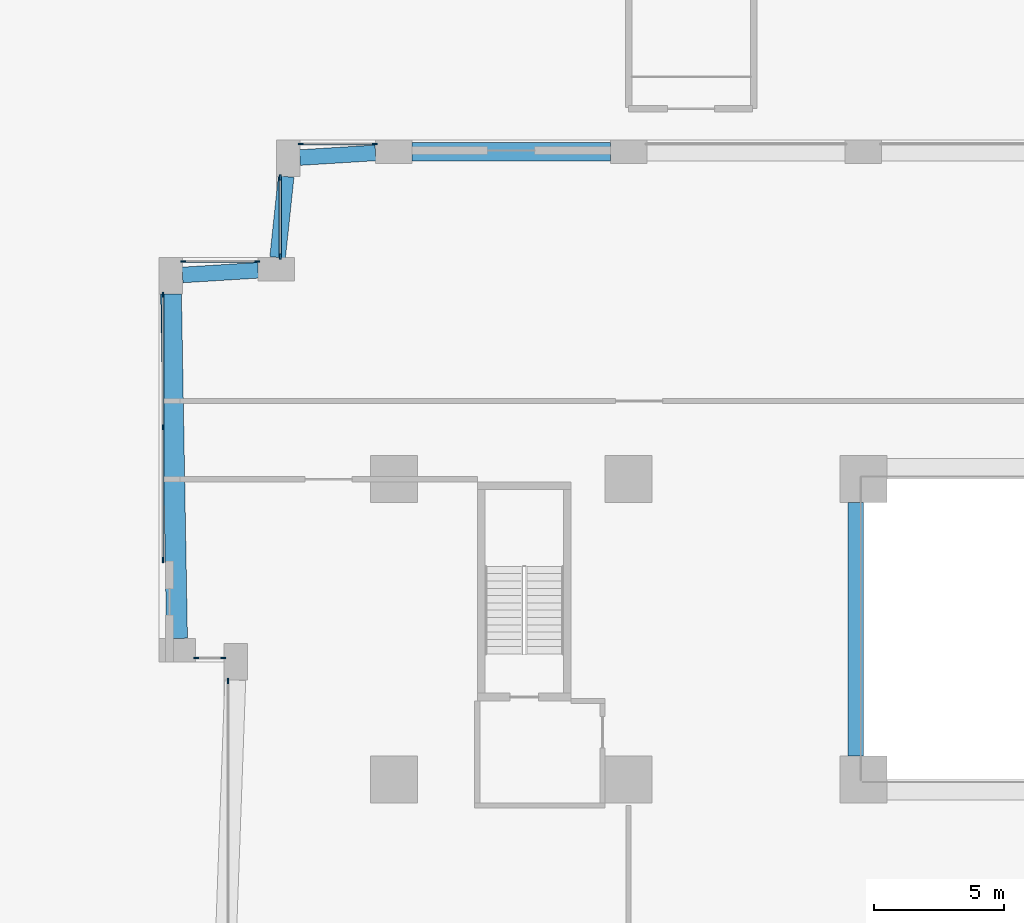
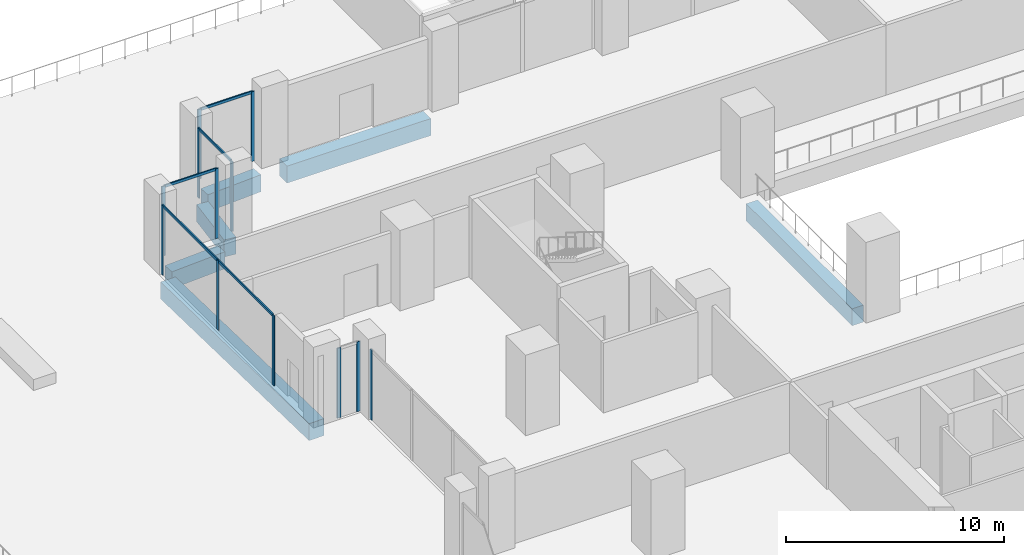
# One storey, part 4 of 19: 17 members, 6 beams, 6 elements without a shape of their own.
"""IFC4 building model written with IfcOpenShell, lengths in metres."""

from ifc_helpers import new_model, si_unit, direction, frame, origin, origin_2d, place, context, subcontext, project, spatial, rectangle, extrude, material, layer, layer_set, material_profile, profile_set, type_object, element, aggregate, save


model = new_model("IFC4")

# Units and contexts
model_context = context("Model", 3, precision=1e-05, world=origin(), true_north=direction((0.0, 1.0)))
body_context = subcontext(model_context, "Body", "Model", "MODEL_VIEW")
ifc_project = project(units=[si_unit("LENGTHUNIT", "METRE"), si_unit("AREAUNIT", "SQUARE_METRE"), si_unit("VOLUMEUNIT", "CUBIC_METRE"), si_unit("PLANEANGLEUNIT", "RADIAN"), si_unit("MASSUNIT", "GRAM", prefix="KILO")], contexts=[model_context])

# Site, building, storey
site_placement = place(None, origin())
site = spatial("IfcSite", under=ifc_project, at=site_placement, CompositionType="ELEMENT")
building_placement = place(site_placement, origin())
building = spatial("IfcBuilding", under=site, at=building_placement, Name="Brigalow Station Residences", CompositionType="ELEMENT")
storey_placement = place(building_placement, frame((0.0, 0.0, 11.0)))
storey = spatial("IfcBuildingStorey", under=building, at=storey_placement, Name="L02", CompositionType="ELEMENT", Elevation=11.0)

# Beams
ifc_material_1 = material(Name="Concrete C65", Category="concrete")
ifc_material_profile_1 = material_profile(ifc_material_1, rectangle(XDim=0.60009765625, YDim=0.949951171875, at=origin_2d()), Name="RC600x950")
ifc_profile_set_1 = profile_set([ifc_material_profile_1], Name="Concrete C65")
beam_type_1 = type_object("IfcBeamType", Name="ATRIUM EDGE GIRDER 600x950 C65", PredefinedType="BEAM", material=ifc_profile_set_1)
beam_1_placement = place(storey_placement, frame((26.699951171875, 24.89990234375, -0.876953125), z_axis=(0.0, 1.0, 0.0), x_axis=(-1.0, 0.0, 0.0)))
element("IfcBeam", 1, at=beam_1_placement, inside=storey, type_object=beam_type_1, Name="ATRIUM EDGE GIRDER 3 L02", PredefinedType="BEAM", context=body_context, shape_type="SweptSolid", body=[
    extrude(rectangle(XDim=0.60009765625, YDim=0.949951171875, at=origin_2d()), origin(), (0.0, 0.0, 1.0), 9.7001953125),
])
ifc_material_2 = material(Name="Concrete C65", Category="concrete")
ifc_material_profile_2 = material_profile(ifc_material_2, rectangle(XDim=0.699951171875, YDim=0.949951171875, at=origin_2d()), Name="RC700x950")
ifc_profile_set_2 = profile_set([ifc_material_profile_2], Name="Concrete C65")
beam_type_2 = type_object("IfcBeamType", Name="EDGE GIRDER 4.5 TO 9.9 M SPAN 700x950 C65", PredefinedType="BEAM", material=ifc_profile_set_2)
beam_2_placement = place(storey_placement, frame((17.300048828125, 48.050048828125, -0.876953125), z_axis=(-1.0, 0.0, 0.0), x_axis=(0.0, -1.0, 0.0)))
element("IfcBeam", 2, at=beam_2_placement, inside=storey, type_object=beam_type_2, Name="FOOTPRINT EDGE GIRDER 18 L02", PredefinedType="BEAM", context=body_context, shape_type="SweptSolid", body=[
    extrude(rectangle(XDim=0.699951171875, YDim=0.949951171875, at=origin_2d()), origin(), (0.0, 0.0, 1.0), 7.60009765625),
])
ifc_material_3 = material(Name="Concrete C65", Category="concrete")
ifc_material_profile_3 = material_profile(ifc_material_3, rectangle(XDim=0.60009765625, YDim=0.949951171875, at=origin_2d()), Name="RC600x950")
ifc_profile_set_3 = profile_set([ifc_material_profile_3], Name="Concrete C65")
beam_type_3 = type_object("IfcBeamType", Name="EDGE GIRDER 600x950 C65", PredefinedType="BEAM", material=ifc_profile_set_3)
beam_3_placement = place(storey_placement, frame((8.300048828125, 48.0068359375, -0.876953125), z_axis=(-0.998101633147, -0.061588391034, 0.0), x_axis=(0.061588391034, -0.998101633147, 0.0)))
element("IfcBeam", 3, at=beam_3_placement, inside=storey, type_object=beam_type_3, Name="FOOTPRINT EDGE GIRDER 19 L02", PredefinedType="BEAM", context=body_context, shape_type="SweptSolid", body=[
    extrude(rectangle(XDim=0.60009765625, YDim=0.949951171875, at=origin_2d()), origin(), (0.0, 0.0, 1.0), 2.90576171875),
])
beam_4_placement = place(storey_placement, frame((4.8759765625, 47.10009765625, -0.876953125), z_axis=(-0.105332948539, -0.994437011556, 0.0), x_axis=(0.994437011556, -0.105332948539, 0.0)))
element("IfcBeam", 4, at=beam_4_placement, inside=storey, type_object=beam_type_3, Name="FOOTPRINT EDGE GIRDER 20 L02", PredefinedType="BEAM", context=body_context, shape_type="SweptSolid", body=[
    extrude(rectangle(XDim=0.60009765625, YDim=0.949951171875, at=origin_2d()), origin(), (0.0, 0.0, 1.0), 3.117431640625),
])
beam_5_placement = place(storey_placement, frame((3.800048828125, 43.5068359375, -0.876953125), z_axis=(-0.998101633147, -0.061588391034, 0.0), x_axis=(0.061588391034, -0.998101633147, 0.0)))
element("IfcBeam", 5, at=beam_5_placement, inside=storey, type_object=beam_type_3, Name="FOOTPRINT EDGE GIRDER 21 L02", PredefinedType="BEAM", context=body_context, shape_type="SweptSolid", body=[
    extrude(rectangle(XDim=0.60009765625, YDim=0.949951171875, at=origin_2d()), origin(), (0.0, 0.0, 1.0), 2.90576171875),
])
ifc_material_4 = material(Name="Concrete C65", Category="concrete")
ifc_material_profile_4 = material_profile(ifc_material_4, rectangle(XDim=0.800048828125, YDim=0.949951171875, at=origin_2d()), Name="RC800x950")
ifc_profile_set_4 = profile_set([ifc_material_profile_4], Name="Concrete C65")
beam_type_4 = type_object("IfcBeamType", Name="EDGE GIRDER OVER 9.9 M SPAN 800x950 C65", PredefinedType="BEAM", material=ifc_profile_set_4)
beam_6_placement = place(storey_placement, frame((0.462158203125, 42.60009765625, -0.876953125), z_axis=(0.01741986135, -0.999848262703, 0.0), x_axis=(0.999848262703, 0.01741986135, 0.0)))
element("IfcBeam", 6, at=beam_6_placement, inside=storey, type_object=beam_type_4, Name="FOOTPRINT EDGE GIRDER 22 L02", PredefinedType="BEAM", context=body_context, shape_type="SweptSolid", body=[
    extrude(rectangle(XDim=0.800048828125, YDim=0.949951171875, at=origin_2d()), origin(), (0.0, 0.0, 1.0), 13.2021484375),
])

# Curtain wall, members
ifc_material_5 = material(Name="Aluminium", Category="aluminium")
ifc_layer = layer(ifc_material_5, 0.199951171875)
ifc_layer_set = layer_set([ifc_layer], Name="PODIUM UNITISED GLAZING CURTAIN WALL")
curtain_wall_type = type_object("IfcCurtainWallType", Name="PODIUM UNITISED GLAZING CURTAIN WALL", PredefinedType="NOTDEFINED", material=ifc_layer_set)
curtain_wall_1_placement = place(storey_placement, origin())
curtain_wall_1 = element("IfcCurtainWall", 7, at=curtain_wall_1_placement, inside=storey, type_object=curtain_wall_type, Name="L02/cw/podium-W-L02-25-17", PredefinedType="NOTDEFINED")
ifc_material_6 = material(Name="Aluminium", Category="aluminium")
ifc_material_profile_5 = material_profile(ifc_material_6, rectangle(XDim=0.06494140625, YDim=0.199951171875, at=origin_2d()), Name="PODIUM UNITISED GLAZING MULLION 65x200")
ifc_profile_set_5 = profile_set([ifc_material_profile_5], Name="Aluminium")
member_type_1 = type_object("IfcMemberType", Name="PODIUM UNITISED GLAZING MULLION 65x200", PredefinedType="MULLION", material=ifc_profile_set_5)
member_1_placement = place(storey_placement, frame((8.267578125, 48.35009765625, 0.0), z_axis=(0.0, 0.0, 1.0), x_axis=(0.0, -1.0, 0.0)))
member_1 = element("IfcMember", 8, at=member_1_placement, type_object=member_type_1, Name="L02/cw/podium-W-L02-25-17/M00", PredefinedType="MULLION", context=body_context, shape_type="SweptSolid", body=[
    extrude(rectangle(XDim=0.06494140625, YDim=0.199951171875, at=origin_2d()), origin(), (0.0, 0.0, 1.0), 3.89990234375),
])
member_2_placement = place(storey_placement, frame((5.4326171875, 48.35009765625, 0.0), z_axis=(0.0, 0.0, 1.0), x_axis=(0.0, -1.0, 0.0)))
member_2 = element("IfcMember", 9, at=member_2_placement, type_object=member_type_1, Name="L02/cw/podium-W-L02-25-17/M01", PredefinedType="MULLION", context=body_context, shape_type="SweptSolid", body=[
    extrude(rectangle(XDim=0.06494140625, YDim=0.199951171875, at=origin_2d()), origin(), (0.0, 0.0, 1.0), 3.89990234375),
])

curtain_wall_2_placement = place(storey_placement, origin())
curtain_wall_2 = element("IfcCurtainWall", 10, at=curtain_wall_2_placement, inside=storey, type_object=curtain_wall_type, Name="L02/cw/podium-W-L02-40-18", PredefinedType="NOTDEFINED")
member_3_placement = place(storey_placement, frame((4.64990234375, 47.0673828125, 0.0), z_axis=(0.0, 0.0, 1.0), x_axis=(1.0, 0.0, 0.0)))
member_3 = element("IfcMember", 11, at=member_3_placement, type_object=member_type_1, Name="L02/cw/podium-W-L02-40-18/M00", PredefinedType="MULLION", context=body_context, shape_type="SweptSolid", body=[
    extrude(rectangle(XDim=0.06494140625, YDim=0.199951171875, at=origin_2d()), origin(), (0.0, 0.0, 1.0), 3.89990234375),
])
member_4_placement = place(storey_placement, frame((4.64990234375, 44.032470703125, 0.0), z_axis=(0.0, 0.0, 1.0), x_axis=(1.0, 0.0, 0.0)))
member_4 = element("IfcMember", 12, at=member_4_placement, type_object=member_type_1, Name="L02/cw/podium-W-L02-40-18/M01", PredefinedType="MULLION", context=body_context, shape_type="SweptSolid", body=[
    extrude(rectangle(XDim=0.06494140625, YDim=0.199951171875, at=origin_2d()), origin(), (0.0, 0.0, 1.0), 3.89990234375),
])

curtain_wall_3_placement = place(storey_placement, origin())
curtain_wall_3 = element("IfcCurtainWall", 13, at=curtain_wall_3_placement, inside=storey, type_object=curtain_wall_type, Name="L02/cw/podium-W-L02-41-19", PredefinedType="NOTDEFINED")
member_5_placement = place(storey_placement, frame((3.767578125, 43.85009765625, 0.0), z_axis=(0.0, 0.0, 1.0), x_axis=(0.0, -1.0, 0.0)))
member_5 = element("IfcMember", 14, at=member_5_placement, type_object=member_type_1, Name="L02/cw/podium-W-L02-41-19/M00", PredefinedType="MULLION", context=body_context, shape_type="SweptSolid", body=[
    extrude(rectangle(XDim=0.06494140625, YDim=0.199951171875, at=origin_2d()), origin(), (0.0, 0.0, 1.0), 3.89990234375),
])
member_6_placement = place(storey_placement, frame((0.9326171875, 43.85009765625, 0.0), z_axis=(0.0, 0.0, 1.0), x_axis=(0.0, -1.0, 0.0)))
member_6 = element("IfcMember", 15, at=member_6_placement, type_object=member_type_1, Name="L02/cw/podium-W-L02-41-19/M01", PredefinedType="MULLION", context=body_context, shape_type="SweptSolid", body=[
    extrude(rectangle(XDim=0.06494140625, YDim=0.199951171875, at=origin_2d()), origin(), (0.0, 0.0, 1.0), 3.89990234375),
])

curtain_wall_4_placement = place(storey_placement, origin())
curtain_wall_4 = element("IfcCurtainWall", 16, at=curtain_wall_4_placement, inside=storey, type_object=curtain_wall_type, Name="L02/cw/podium-W-L02-42-20", PredefinedType="NOTDEFINED")
member_7_placement = place(storey_placement, frame((0.14990234375, 42.5673828125, 0.0), z_axis=(0.0, 0.0, 1.0), x_axis=(1.0, 0.0, 0.0)))
member_7 = element("IfcMember", 17, at=member_7_placement, type_object=member_type_1, Name="L02/cw/podium-W-L02-42-20/M00", PredefinedType="MULLION", context=body_context, shape_type="SweptSolid", body=[
    extrude(rectangle(XDim=0.06494140625, YDim=0.199951171875, at=origin_2d()), origin(), (0.0, 0.0, 1.0), 3.89990234375),
])
member_8_placement = place(storey_placement, frame((0.14990234375, 37.487548828125, 0.0), z_axis=(0.0, 0.0, 1.0), x_axis=(1.0, 0.0, 0.0)))
member_8 = element("IfcMember", 18, at=member_8_placement, type_object=member_type_1, Name="L02/cw/podium-W-L02-42-20/M01", PredefinedType="MULLION", context=body_context, shape_type="SweptSolid", body=[
    extrude(rectangle(XDim=0.06494140625, YDim=0.199951171875, at=origin_2d()), origin(), (0.0, 0.0, 1.0), 3.89990234375),
])
member_9_placement = place(storey_placement, frame((0.14990234375, 32.407470703125, 0.0), z_axis=(0.0, 0.0, 1.0), x_axis=(1.0, 0.0, 0.0)))
member_9 = element("IfcMember", 19, at=member_9_placement, type_object=member_type_1, Name="L02/cw/podium-W-L02-42-20/M02", PredefinedType="MULLION", context=body_context, shape_type="SweptSolid", body=[
    extrude(rectangle(XDim=0.06494140625, YDim=0.199951171875, at=origin_2d()), origin(), (0.0, 0.0, 1.0), 3.89990234375),
])

curtain_wall_5_placement = place(storey_placement, origin())
curtain_wall_5 = element("IfcCurtainWall", 20, at=curtain_wall_5_placement, inside=storey, type_object=curtain_wall_type, Name="L02/cw/podium-W-L02-46-21", PredefinedType="NOTDEFINED")
member_10_placement = place(storey_placement, frame((1.4326171875, 28.64990234375, 0.0), z_axis=(0.0, 0.0, 1.0), x_axis=(0.0, 1.0, 0.0)))
member_10 = element("IfcMember", 21, at=member_10_placement, type_object=member_type_1, Name="L02/cw/podium-W-L02-46-21/M00", PredefinedType="MULLION", context=body_context, shape_type="SweptSolid", body=[
    extrude(rectangle(XDim=0.06494140625, YDim=0.199951171875, at=origin_2d()), origin(), (0.0, 0.0, 1.0), 3.89990234375),
])
member_11_placement = place(storey_placement, frame((2.467529296875, 28.64990234375, 0.0), z_axis=(0.0, 0.0, 1.0), x_axis=(0.0, 1.0, 0.0)))
member_11 = element("IfcMember", 22, at=member_11_placement, type_object=member_type_1, Name="L02/cw/podium-W-L02-46-21/M01", PredefinedType="MULLION", context=body_context, shape_type="SweptSolid", body=[
    extrude(rectangle(XDim=0.06494140625, YDim=0.199951171875, at=origin_2d()), origin(), (0.0, 0.0, 1.0), 3.89990234375),
])
aggregate(curtain_wall_5, [member_10, member_11])

# Curtain wall, member
curtain_wall_6_placement = place(storey_placement, origin())
curtain_wall_6 = element("IfcCurtainWall", 23, at=curtain_wall_6_placement, inside=storey, type_object=curtain_wall_type, Name="L02/cw/podium-W-L02-47-22", PredefinedType="NOTDEFINED")
member_12_placement = place(storey_placement, frame((2.64990234375, 27.767578125, 0.0), z_axis=(0.0, 0.0, 1.0), x_axis=(1.0, 0.0, 0.0)))
member_12 = element("IfcMember", 24, at=member_12_placement, type_object=member_type_1, Name="L02/cw/podium-W-L02-47-22/M00", PredefinedType="MULLION", context=body_context, shape_type="SweptSolid", body=[
    extrude(rectangle(XDim=0.06494140625, YDim=0.199951171875, at=origin_2d()), origin(), (0.0, 0.0, 1.0), 3.89990234375),
])
aggregate(curtain_wall_6, [member_12])

# Member
ifc_material_7 = material(Name="Aluminium", Category="aluminium")
ifc_material_profile_6 = material_profile(ifc_material_7, rectangle(XDim=0.06494140625, YDim=0.14990234375, at=origin_2d()), Name="PODIUM UNITISED GLAZING TRANSOM 65x150")
ifc_profile_set_6 = profile_set([ifc_material_profile_6], Name="Aluminium")
member_type_2 = type_object("IfcMemberType", Name="PODIUM UNITISED GLAZING TRANSOM 65x150", PredefinedType="USERDEFINED", material=ifc_profile_set_6)
member_13_placement = place(storey_placement, frame((8.235107421875, 48.35009765625, 3.867431640625), z_axis=(-1.0, 0.0, 0.0), x_axis=(0.0, -1.0, 0.0)))
member_13 = element("IfcMember", 25, at=member_13_placement, type_object=member_type_2, Name="L02/cw/podium-W-L02-25-17/T00-00", ObjectType="TRANSOM", PredefinedType="USERDEFINED", context=body_context, shape_type="SweptSolid", body=[
    extrude(rectangle(XDim=0.06494140625, YDim=0.14990234375, at=origin_2d()), origin(), (0.0, 0.0, 1.0), 2.77001953125),
])

aggregate(curtain_wall_1, [member_1, member_2, member_13])

member_14_placement = place(storey_placement, frame((4.64990234375, 47.034912109375, 3.867431640625), z_axis=(0.0, -1.0, 0.0), x_axis=(1.0, 0.0, 0.0)))
member_14 = element("IfcMember", 26, at=member_14_placement, type_object=member_type_2, Name="L02/cw/podium-W-L02-40-18/T00-00", ObjectType="TRANSOM", PredefinedType="USERDEFINED", context=body_context, shape_type="SweptSolid", body=[
    extrude(rectangle(XDim=0.06494140625, YDim=0.14990234375, at=origin_2d()), origin(), (0.0, 0.0, 1.0), 2.969970703125),
])

aggregate(curtain_wall_2, [member_3, member_4, member_14])

member_15_placement = place(storey_placement, frame((3.735107421875, 43.85009765625, 3.867431640625), z_axis=(-1.0, 0.0, 0.0), x_axis=(0.0, -1.0, 0.0)))
member_15 = element("IfcMember", 27, at=member_15_placement, type_object=member_type_2, Name="L02/cw/podium-W-L02-41-19/T00-00", ObjectType="TRANSOM", PredefinedType="USERDEFINED", context=body_context, shape_type="SweptSolid", body=[
    extrude(rectangle(XDim=0.06494140625, YDim=0.14990234375, at=origin_2d()), origin(), (0.0, 0.0, 1.0), 2.77001953125),
])

aggregate(curtain_wall_3, [member_5, member_6, member_15])

member_16_placement = place(storey_placement, frame((0.14990234375, 42.534912109375, 3.867431640625), z_axis=(0.0, -1.0, 0.0), x_axis=(1.0, 0.0, 0.0)))
member_16 = element("IfcMember", 28, at=member_16_placement, type_object=member_type_2, Name="L02/cw/podium-W-L02-42-20/T00-00", ObjectType="TRANSOM", PredefinedType="USERDEFINED", context=body_context, shape_type="SweptSolid", body=[
    extrude(rectangle(XDim=0.06494140625, YDim=0.14990234375, at=origin_2d()), origin(), (0.0, 0.0, 1.0), 5.014892578125),
])

member_17_placement = place(storey_placement, frame((0.14990234375, 37.455078125, 3.867431640625), z_axis=(0.0, -1.0, 0.0), x_axis=(1.0, 0.0, 0.0)))
member_17 = element("IfcMember", 29, at=member_17_placement, type_object=member_type_2, Name="L02/cw/podium-W-L02-42-20/T01-00", ObjectType="TRANSOM", PredefinedType="USERDEFINED", context=body_context, shape_type="SweptSolid", body=[
    extrude(rectangle(XDim=0.06494140625, YDim=0.14990234375, at=origin_2d()), origin(), (0.0, 0.0, 1.0), 5.01513671875),
])

aggregate(curtain_wall_4, [member_7, member_8, member_9, member_16, member_17])

save(model, "model.ifc")
